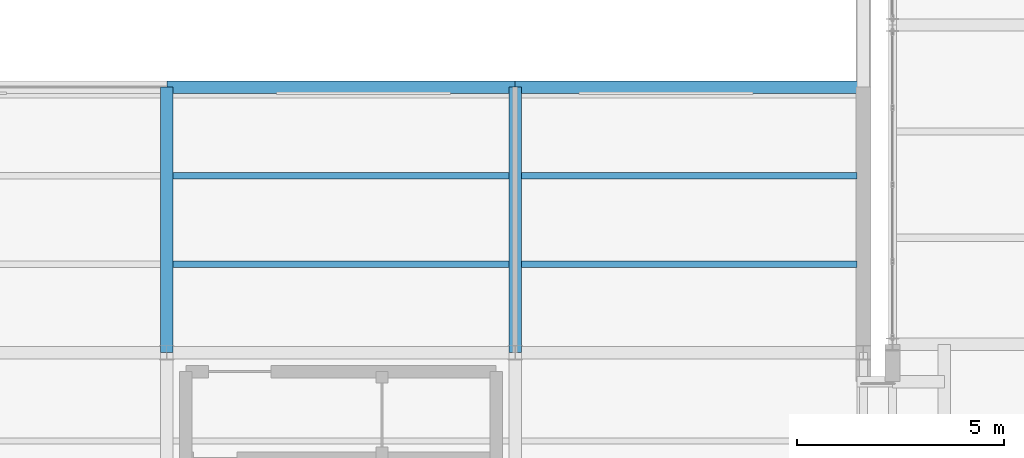
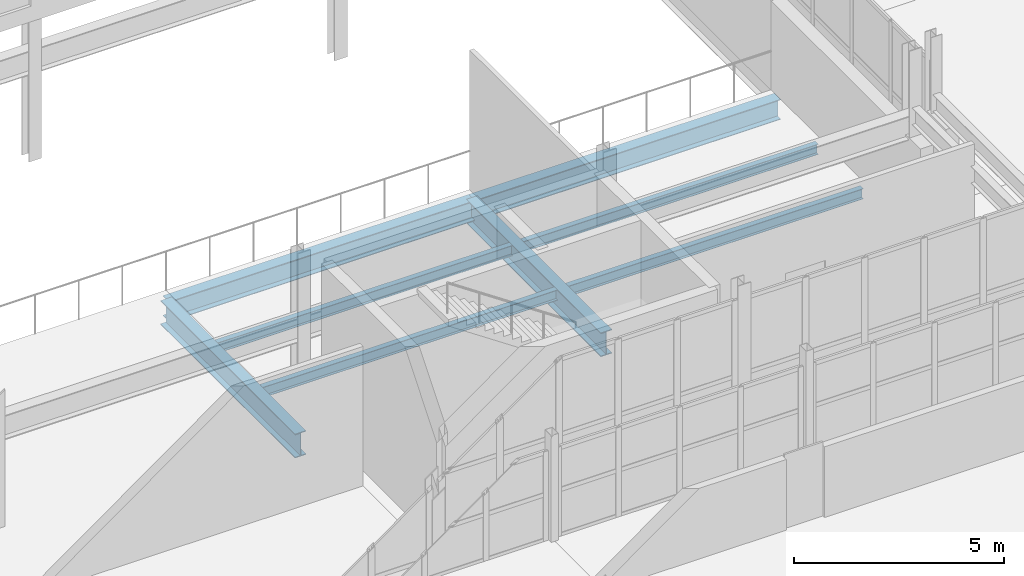
# One storey, part 111 of 218: 8 beams.
"""IFC4 building model written with IfcOpenShell, lengths in metres."""

from ifc_helpers import new_model, si_unit, direction, frame, origin, origin_2d, place, context, subcontext, project, spatial, i_section, extrude, material, material_profile, profile_set, type_object, element, save


model = new_model("IFC4")

# Units and contexts
model_context = context("Model", 3, precision=1e-05, world=origin(), true_north=direction((0.0, 1.0)))
body_context = subcontext(model_context, "Body", "Model", "MODEL_VIEW")
ifc_project = project(units=[si_unit("LENGTHUNIT", "METRE"), si_unit("AREAUNIT", "SQUARE_METRE"), si_unit("VOLUMEUNIT", "CUBIC_METRE"), si_unit("PLANEANGLEUNIT", "RADIAN"), si_unit("MASSUNIT", "GRAM", prefix="KILO")], contexts=[model_context])

# Site, building, storey
site_placement = place(None, origin())
site = spatial("IfcSite", under=ifc_project, at=site_placement, CompositionType="ELEMENT")
building_placement = place(site_placement, origin())
building = spatial("IfcBuilding", under=site, at=building_placement, Name="Kazenagashi Tramway Depot", CompositionType="ELEMENT")
storey_placement = place(building_placement, frame((0.0, 0.0, 6.0)))
storey = spatial("IfcBuildingStorey", under=building, at=storey_placement, Name="L02", CompositionType="ELEMENT", Elevation=6.0)

# Beams
ifc_material_1 = material(Name="Steel SN490B", Category="steel")
ifc_material_profile_1 = material_profile(ifc_material_1, i_section(OverallWidth=0.3, OverallDepth=0.7, WebThickness=0.013, FlangeThickness=0.024, at=origin_2d()), Name="H-700x300x13x24")
ifc_profile_set_1 = profile_set([ifc_material_profile_1], Name="Steel SN490B")
beam_type_1 = type_object("IfcBeamType", Name="G-02", PredefinedType="BEAM", material=ifc_profile_set_1)
for number, where, z_axis, x_axis, name in (
    (1, (128.8, 22.9, -0.6), (0.0, 1.0, 0.0), (-1.0, 0.0, 0.0), "Beam G-02 BM-1091"),
    (2, (137.2, 22.9, -0.6), (0.0, 1.0, 0.0), (-1.0, 0.0, 0.0), "Beam G-02 BM-1097"),
):
    element("IfcBeam", number, at=place(storey_placement, frame(where, z_axis=z_axis, x_axis=x_axis)), inside=storey, type_object=beam_type_1, Name=name, PredefinedType="BEAM", context=body_context, shape_type="SweptSolid", body=[
        extrude(i_section(OverallWidth=0.3, OverallDepth=0.7, WebThickness=0.013, FlangeThickness=0.024, at=origin_2d()), origin(), (0.0, 0.0, 1.0), 6.4),
    ])
ifc_material_2 = material(Name="Steel SN400B", Category="steel")
ifc_material_profile_2 = material_profile(ifc_material_2, i_section(OverallWidth=0.15, OverallDepth=0.3, WebThickness=0.0065, FlangeThickness=0.009, at=origin_2d()), Name="H-300x150x6.5x9")
ifc_profile_set_2 = profile_set([ifc_material_profile_2], Name="Steel SN400B")
beam_type_2 = type_object("IfcBeamType", Name="J-02", PredefinedType="JOIST", material=ifc_profile_set_2)
for number, where, z_axis, x_axis, name in (
    (3, (128.95, 25.033, -0.4), (1.0, 0.0, 0.0), (0.0, 1.0, 0.0), "Beam J-02 BM-1092"),
    (4, (128.95, 27.167, -0.4), (1.0, 0.0, 0.0), (0.0, 1.0, 0.0), "Beam J-02 BM-1093"),
    (5, (137.35, 25.033, -0.4), (1.0, 0.0, 0.0), (0.0, 1.0, 0.0), "Beam J-02 BM-1098"),
    (6, (137.35, 27.167, -0.4), (1.0, 0.0, 0.0), (0.0, 1.0, 0.0), "Beam J-02 BM-1099"),
):
    element("IfcBeam", number, at=place(storey_placement, frame(where, z_axis=z_axis, x_axis=x_axis)), inside=storey, type_object=beam_type_2, Name=name, PredefinedType="JOIST", context=body_context, shape_type="SweptSolid", body=[
        extrude(i_section(OverallWidth=0.15, OverallDepth=0.3, WebThickness=0.0065, FlangeThickness=0.009, at=origin_2d()), origin(), (0.0, 0.0, 1.0), 8.1),
    ])
ifc_material_profile_3 = material_profile(ifc_material_1, i_section(OverallWidth=0.3, OverallDepth=0.588, WebThickness=0.012, FlangeThickness=0.02, at=origin_2d()), Name="H-588x300x12x20")
ifc_profile_set_3 = profile_set([ifc_material_profile_3], Name="Steel SN490B")
beam_type_3 = type_object("IfcBeamType", Name="SP-01", PredefinedType="SPANDREL", material=ifc_profile_set_3)
for number, where, z_axis, x_axis, name in (
    (7, (128.8, 29.3, -0.544), (1.0, 0.0, 0.0), (0.0, 1.0, 0.0), "Beam SP-01 BM-1028"),
    (8, (137.2, 29.3, -0.544), (1.0, 0.0, 0.0), (0.0, 1.0, 0.0), "Beam SP-01 BM-1029"),
):
    element("IfcBeam", number, at=place(storey_placement, frame(where, z_axis=z_axis, x_axis=x_axis)), inside=storey, type_object=beam_type_3, Name=name, PredefinedType="SPANDREL", context=body_context, shape_type="SweptSolid", body=[
        extrude(i_section(OverallWidth=0.3, OverallDepth=0.588, WebThickness=0.012, FlangeThickness=0.02, at=origin_2d()), origin(), (0.0, 0.0, 1.0), 8.4),
    ])

save(model, "model.ifc")
